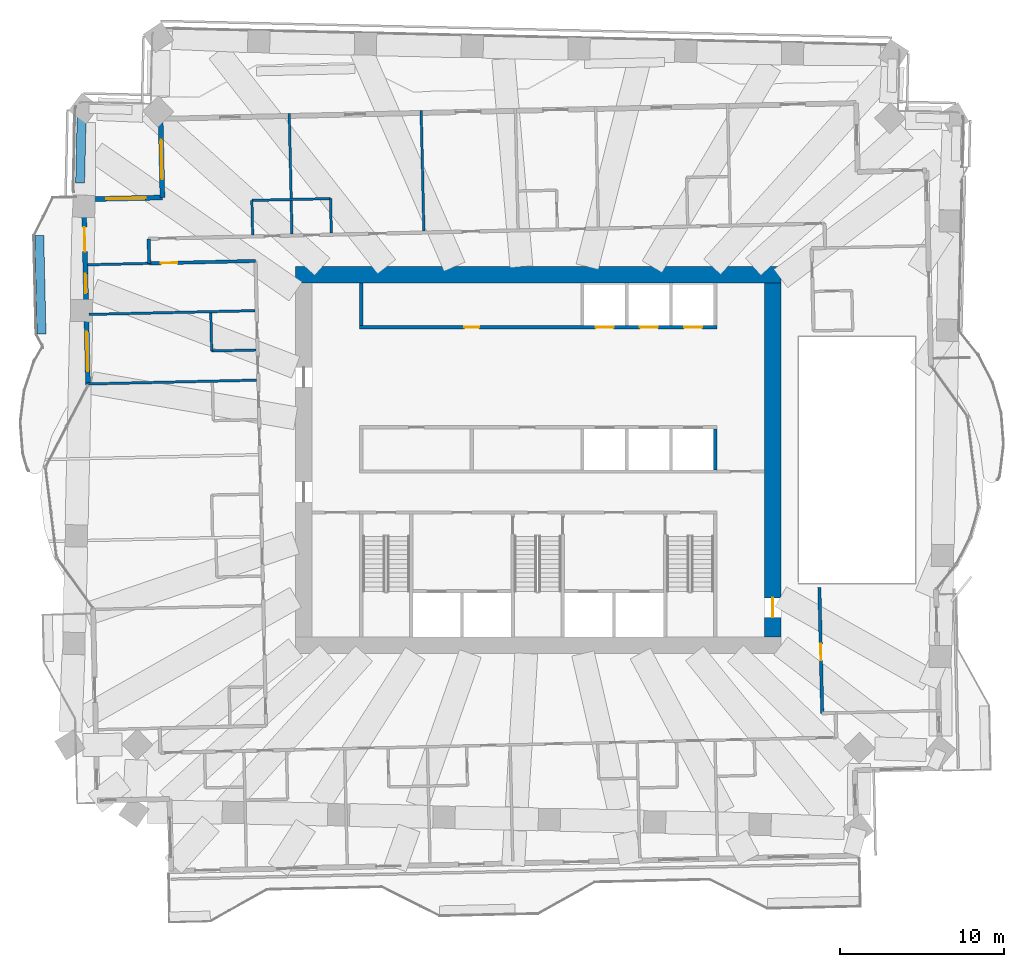
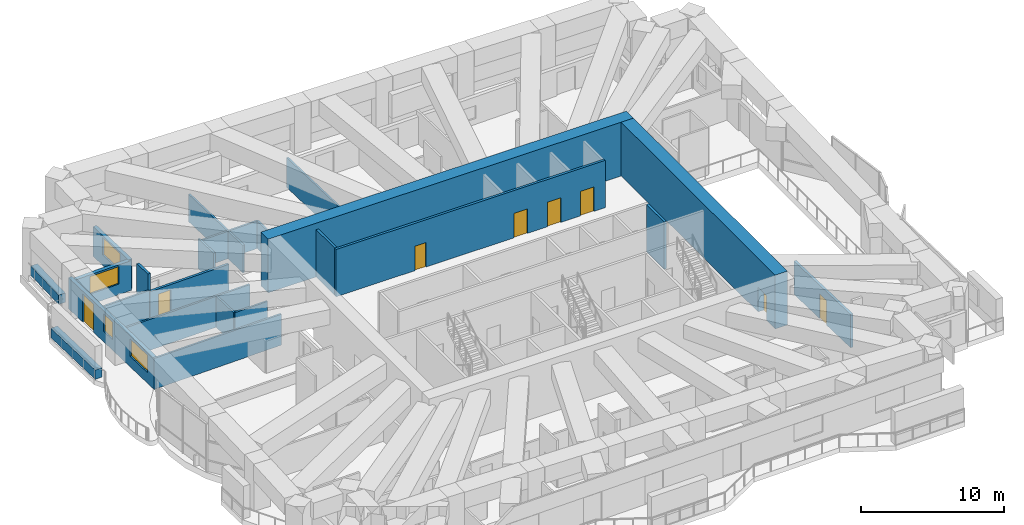
# One storey, part 13 of 21: 23 walls, 8 doors, 4 windows, 12 openings.
"""IFC4 building model written with IfcOpenShell, lengths in metres."""

from ifc_helpers import new_model, si_unit, direction, frame, frame_2d, origin, place, context, subcontext, project, spatial, rectangle, extrude, material, layer, layer_set, type_object, element, fill, save


model = new_model("IFC4")

# Units and contexts
model_context = context("Model", 3, precision=1e-05, world=origin(), true_north=direction((0.0, 1.0)))
body_context = subcontext(model_context, "Body", "Model", "MODEL_VIEW")
ifc_project = project(units=[si_unit("LENGTHUNIT", "METRE"), si_unit("AREAUNIT", "SQUARE_METRE"), si_unit("VOLUMEUNIT", "CUBIC_METRE"), si_unit("PLANEANGLEUNIT", "RADIAN"), si_unit("MASSUNIT", "GRAM", prefix="KILO")], contexts=[model_context])

# Site, building, storey
site_placement = place(None, origin())
site = spatial("IfcSite", under=ifc_project, at=site_placement, CompositionType="ELEMENT")
building_placement = place(site_placement, origin())
building = spatial("IfcBuilding", under=site, at=building_placement, Name="Mangrove Gate Tower", CompositionType="ELEMENT")
storey_placement = place(building_placement, frame((0.0, 0.0, 125.5)))
storey = spatial("IfcBuildingStorey", under=building, at=storey_placement, Name="L31", CompositionType="ELEMENT", Elevation=125.5)

# Wall
ifc_material_1 = material(Name="Concrete C32/40", Category="concrete")
ifc_layer_1 = layer(ifc_material_1, 0.199951171875)
ifc_layer_set_1 = layer_set([ifc_layer_1], Name="Core room wall 200 C32/40")
wall_type_1 = type_object("IfcWallType", Name="Core room wall 200 C32/40", PredefinedType="STANDARD", material=ifc_layer_set_1)
wall_1_placement = place(storey_placement, frame((-10.800048828125, 8.199951171875, 0.0), z_axis=(0.0, 0.0, 1.0), x_axis=(0.0, 1.0, 0.0)))
element("IfcWall", 1, at=wall_1_placement, inside=storey, type_object=wall_type_1, Name="WALL-L31-CORE-25", PredefinedType="STANDARD", context=body_context, shape_type="SweptSolid", body=[
    extrude(rectangle(XDim=2.60009765625, YDim=0.199951171875, at=frame_2d((1.300048828125, 0.0))), origin(), (0.0, 0.0, 1.0), 4.050048828125),
])

# Wall, openings, doors
ifc_material_2 = material(Name="Concrete C70/85", Category="concrete")
ifc_layer_2 = layer(ifc_material_2, 0.199951171875)
ifc_layer_set_2 = layer_set([ifc_layer_2], Name="Core shaft wall 200 C70/85")
wall_type_2 = type_object("IfcWallType", Name="Core shaft wall 200 C70/85", PredefinedType="SHEAR", material=ifc_layer_set_2)
wall_2_placement = place(storey_placement, frame((-10.89990234375, 8.10009765625, 0.0), z_axis=(0.0, 0.0, 1.0), x_axis=(1.0, 0.0, 0.0)))
wall_2 = element("IfcWall", 2, at=wall_2_placement, inside=storey, type_object=wall_type_2, Name="WALL-L31-CORE-8", PredefinedType="SHEAR", context=body_context, shape_type="SweptSolid", body=[
    extrude(rectangle(XDim=21.7998046875, YDim=0.199951171875, at=frame_2d((10.89990234375, 0.0))), origin(), (0.0, 0.0, 1.0), 4.050048828125),
])
opening_1_placement = place(wall_2_placement, frame((14.39990234375, 0.0, 0.0)))
opening_1 = element("IfcOpeningElement", 3, at=opening_1_placement, cuts=wall_2, Name="Opening LD", PredefinedType="OPENING", context=body_context, shape_type="SweptSolid", body=[
    extrude(rectangle(XDim=1.10009765625, YDim=2.10009765625, at=frame_2d((0.550048828125, 1.050048828125))), frame((0.0, 0.10986328125, 0.0), z_axis=(0.0, -1.0, 0.0), x_axis=(1.0, 0.0, 0.0)), (0.0, 0.0, 1.0), 0.219970703125),
])
opening_2_placement = place(wall_2_placement, frame((17.10009765625, 0.0, 0.0)))
opening_2 = element("IfcOpeningElement", 4, at=opening_2_placement, cuts=wall_2, Name="Opening LD", PredefinedType="OPENING", context=body_context, shape_type="SweptSolid", body=[
    extrude(rectangle(XDim=1.10009765625, YDim=2.10009765625, at=frame_2d((0.550048828125, 1.050048828125))), frame((0.0, 0.10986328125, 0.0), z_axis=(0.0, -1.0, 0.0), x_axis=(1.0, 0.0, 0.0)), (0.0, 0.0, 1.0), 0.219970703125),
])
opening_3_placement = place(wall_2_placement, frame((19.800048828125, 0.0, 0.0)))
opening_3 = element("IfcOpeningElement", 5, at=opening_3_placement, cuts=wall_2, Name="Opening LD", PredefinedType="OPENING", context=body_context, shape_type="SweptSolid", body=[
    extrude(rectangle(XDim=1.10009765625, YDim=2.10009765625, at=frame_2d((0.550048828125, 1.050048828125))), frame((0.0, 0.10986328125, 0.0), z_axis=(0.0, -1.0, 0.0), x_axis=(1.0, 0.0, 0.0)), (0.0, 0.0, 1.0), 0.219970703125),
])
opening_4_placement = place(wall_2_placement, frame((6.39990234375, 0.0, 0.0)))
opening_4 = element("IfcOpeningElement", 6, at=opening_4_placement, cuts=wall_2, Name="Opening RD", PredefinedType="OPENING", context=body_context, shape_type="SweptSolid", body=[
    extrude(rectangle(XDim=0.89990234375, YDim=2.10009765625, at=frame_2d((0.449951171875, 1.050048828125))), frame((0.0, 0.10986328125, 0.0), z_axis=(0.0, -1.0, 0.0), x_axis=(1.0, 0.0, 0.0)), (0.0, 0.0, 1.0), 0.219970703125),
])
ifc_material_3 = material(Name="Stainless steel 316", Category="steel")
door_type_1 = type_object("IfcDoorType", Name="Lift landing door 1100x2100", OperationType="SLIDING_TO_LEFT", PredefinedType="DOOR", material=ifc_material_3)
door_1_placement = place(opening_1_placement, origin())
door_1 = element("IfcDoor", 7, at=door_1_placement, inside=storey, type_object=door_type_1, Name="Landing door LD M04", OperationType="SLIDING_TO_LEFT", OverallHeight=2.10009765625, OverallWidth=1.10009765625, PredefinedType="DOOR", context=body_context, shape_type="SweptSolid", body=[
    extrude(rectangle(XDim=1.10009765625, YDim=2.10009765625, at=frame_2d((0.550048828125, 1.050048828125))), frame((0.0, 0.02490234375, 0.0), z_axis=(0.0, -1.0, 0.0), x_axis=(1.0, 0.0, 0.0)), (0.0, 0.0, 1.0), 0.050048828125),
])
fill(opening_1, door_1)
door_2_placement = place(opening_2_placement, origin())
door_2 = element("IfcDoor", 8, at=door_2_placement, inside=storey, type_object=door_type_1, Name="Landing door LD M05", OperationType="SLIDING_TO_LEFT", OverallHeight=2.10009765625, OverallWidth=1.10009765625, PredefinedType="DOOR", context=body_context, shape_type="SweptSolid", body=[
    extrude(rectangle(XDim=1.10009765625, YDim=2.10009765625, at=frame_2d((0.550048828125, 1.050048828125))), frame((0.0, 0.02490234375, 0.0), z_axis=(0.0, -1.0, 0.0), x_axis=(1.0, 0.0, 0.0)), (0.0, 0.0, 1.0), 0.050048828125),
])
fill(opening_2, door_2)
door_3_placement = place(opening_3_placement, origin())
door_3 = element("IfcDoor", 9, at=door_3_placement, inside=storey, type_object=door_type_1, Name="Landing door LD M06", OperationType="SLIDING_TO_LEFT", OverallHeight=2.10009765625, OverallWidth=1.10009765625, PredefinedType="DOOR", context=body_context, shape_type="SweptSolid", body=[
    extrude(rectangle(XDim=1.10009765625, YDim=2.10009765625, at=frame_2d((0.550048828125, 1.050048828125))), frame((0.0, 0.02490234375, 0.0), z_axis=(0.0, -1.0, 0.0), x_axis=(1.0, 0.0, 0.0)), (0.0, 0.0, 1.0), 0.050048828125),
])
fill(opening_3, door_3)
ifc_material_4 = material(Name="Fire-rated steel door set", Category="steel")
door_type_2 = type_object("IfcDoorType", Name="Riser door FD30S 900x2100", OperationType="SINGLE_SWING_LEFT", PredefinedType="DOOR", material=ifc_material_4)
door_4_placement = place(opening_4_placement, origin())
door_4 = element("IfcDoor", 10, at=door_4_placement, inside=storey, type_object=door_type_2, Name="Riser door Comms room", OperationType="SINGLE_SWING_LEFT", OverallHeight=2.10009765625, OverallWidth=0.89990234375, PredefinedType="DOOR", context=body_context, shape_type="SweptSolid", body=[
    extrude(rectangle(XDim=0.89990234375, YDim=2.10009765625, at=frame_2d((0.449951171875, 1.050048828125))), frame((0.0, 0.02490234375, 0.0), z_axis=(0.0, -1.0, 0.0), x_axis=(1.0, 0.0, 0.0)), (0.0, 0.0, 1.0), 0.050048828125),
])
fill(opening_4, door_4)

# Walls
wall_3_placement = place(storey_placement, frame((10.800048828125, -0.60009765625, 0.0), z_axis=(0.0, 0.0, 1.0), x_axis=(0.0, 1.0, 0.0)))
element("IfcWall", 11, at=wall_3_placement, inside=storey, type_object=wall_type_2, Name="WALL-L31-CORE-24", PredefinedType="SHEAR", context=body_context, shape_type="SweptSolid", body=[
    extrude(rectangle(XDim=2.5, YDim=0.199951171875, at=frame_2d((1.25, 0.0))), origin(), (0.0, 0.0, 1.0), 4.050048828125),
])
ifc_material_5 = material(Name="Concrete C70/85", Category="concrete")
ifc_layer_3 = layer(ifc_material_5, 1.0)
ifc_layer_set_3 = layer_set([ifc_layer_3], Name="Core wall 1000 C70/85")
wall_type_3 = type_object("IfcWallType", Name="Core wall 1000 C70/85", PredefinedType="SHEAR", material=ifc_layer_set_3)
wall_4_placement = place(storey_placement, frame((-14.800048828125, 11.300048828125, 0.0), z_axis=(0.0, 0.0, 1.0), x_axis=(1.0, 0.0, 0.0)))
element("IfcWall", 12, at=wall_4_placement, inside=storey, type_object=wall_type_3, Name="WALL-L31-CORE-2", PredefinedType="SHEAR", context=body_context, shape_type="SweptSolid", body=[
    extrude(rectangle(XDim=29.60009765625, YDim=1.0, at=frame_2d((14.800048828125, 0.0))), origin(), (0.0, 0.0, 1.0), 4.60009765625),
])

# Wall, opening, door
wall_5_placement = place(storey_placement, frame((14.300048828125, -10.800048828125, 0.0), z_axis=(0.0, 0.0, 1.0), x_axis=(0.0, 1.0, 0.0)))
wall_5 = element("IfcWall", 13, at=wall_5_placement, inside=storey, type_object=wall_type_3, Name="WALL-L31-CORE-4", PredefinedType="SHEAR", context=body_context, shape_type="SweptSolid", body=[
    extrude(rectangle(XDim=21.60009765625, YDim=1.0, at=frame_2d((10.800048828125, 0.0))), origin(), (0.0, 0.0, 1.0), 4.60009765625),
])
opening_5_placement = place(wall_5_placement, frame((1.199951171875, 0.0, 0.0)))
opening_5 = element("IfcOpeningElement", 14, at=opening_5_placement, cuts=wall_5, Name="Opening CD", PredefinedType="OPENING", context=body_context, shape_type="SweptSolid", body=[
    extrude(rectangle(XDim=1.199951171875, YDim=2.10009765625, at=frame_2d((0.60009765625, 1.050048828125))), frame((0.0, 0.510009765625, 0.0), z_axis=(0.0, -1.0, 0.0), x_axis=(1.0, 0.0, 0.0)), (0.0, 0.0, 1.0), 1.02001953125),
])
ifc_material_6 = material(Name="Fire-rated steel door set", Category="steel")
door_type_3 = type_object("IfcDoorType", Name="Core ring door FD60 1200x2100", OperationType="DOUBLE_DOOR_SINGLE_SWING", PredefinedType="DOOR", material=ifc_material_6)
door_5_placement = place(opening_5_placement, origin())
door_5 = element("IfcDoor", 15, at=door_5_placement, inside=storey, type_object=door_type_3, Name="Core ring door E1", OperationType="DOUBLE_DOOR_SINGLE_SWING", OverallHeight=2.10009765625, OverallWidth=1.199951171875, PredefinedType="DOOR", context=body_context, shape_type="SweptSolid", body=[
    extrude(rectangle(XDim=1.199951171875, YDim=2.10009765625, at=frame_2d((0.60009765625, 1.050048828125))), frame((0.0, 0.02490234375, 0.0), z_axis=(0.0, -1.0, 0.0), x_axis=(1.0, 0.0, 0.0)), (0.0, 0.0, 1.0), 0.050048828125),
])
fill(opening_5, door_5)

ifc_material_7 = material(Name="Gypsum board on steel stud, EI 60", Category="steel")
ifc_layer_4 = layer(ifc_material_7, 0.199951171875)
ifc_layer_set_4 = layer_set([ifc_layer_4], Name="Corridor wall EI 60")
wall_type_4 = type_object("IfcWallType", Name="Corridor wall EI 60", PredefinedType="PARTITIONING", material=ifc_layer_set_4)
wall_6_placement = place(storey_placement, frame((17.327880859375, -15.447998046875, 0.0), z_axis=(0.0, 0.0, 1.0), x_axis=(-0.022680883318, 0.999742755679, 0.0)))
wall_6 = element("IfcWall", 16, at=wall_6_placement, inside=storey, type_object=wall_type_4, Name="WALL-L31-027", PredefinedType="PARTITIONING", context=body_context, shape_type="SweptSolid", body=[
    extrude(rectangle(XDim=7.6640625, YDim=0.199951171875, at=frame_2d((3.83203125, 0.0))), origin(), (0.0, 0.0, 1.0), 2.85009765625),
])
opening_6_placement = place(wall_6_placement, frame((3.22998046875, 0.0, 0.0)))
opening_6 = element("IfcOpeningElement", 17, at=opening_6_placement, cuts=wall_6, Name="Opening AD", PredefinedType="OPENING", context=body_context, shape_type="SweptSolid", body=[
    extrude(rectangle(XDim=1.0, YDim=2.10009765625, at=frame_2d((0.5, 1.050048828125))), frame((0.0, 0.10986328125, 0.0), z_axis=(0.0, -1.0, 0.0), x_axis=(1.0, 0.0, 0.0)), (0.0, 0.0, 1.0), 0.219970703125),
])
ifc_material_8 = material(Name="Timber door leaf", Category="wood")
door_type_4 = type_object("IfcDoorType", Name="Amenity door 1000", OperationType="SINGLE_SWING_LEFT", PredefinedType="DOOR", material=ifc_material_8)
door_6_placement = place(opening_6_placement, origin())
door_6 = element("IfcDoor", 18, at=door_6_placement, inside=storey, type_object=door_type_4, Name="DOOR-L31-LNG-c3b", OperationType="SINGLE_SWING_RIGHT", OverallHeight=2.10009765625, OverallWidth=1.0, PredefinedType="DOOR", context=body_context, shape_type="SweptSolid", body=[
    extrude(rectangle(XDim=1.0, YDim=2.10009765625, at=frame_2d((0.5, 1.050048828125))), frame((0.0, 0.02490234375, 0.0), z_axis=(0.0, -1.0, 0.0), x_axis=(1.0, 0.0, 0.0)), (0.0, 0.0, 1.0), 0.050048828125),
])
fill(opening_6, door_6)

# Wall
wall_7_placement = place(storey_placement, frame((-23.735107421875, 12.0009765625, 0.0), z_axis=(0.0, 0.0, 1.0), x_axis=(-0.022617910375, 0.999744182344, 0.0)))
element("IfcWall", 19, at=wall_7_placement, inside=storey, type_object=wall_type_4, Name="WALL-L31-051", PredefinedType="PARTITIONING", context=body_context, shape_type="SweptSolid", body=[
    extrude(rectangle(XDim=1.50048828125, YDim=0.199951171875, at=frame_2d((0.750244140625, 0.0))), origin(), (0.0, 0.0, 1.0), 4.050048828125),
])

# Wall, opening, door
wall_8_placement = place(storey_placement, frame((-23.72998046875, 12.0009765625, 0.0), z_axis=(0.0, 0.0, 1.0), x_axis=(0.999739614647, 0.022818915498, 0.0)))
wall_8 = element("IfcWall", 20, at=wall_8_placement, inside=storey, type_object=wall_type_4, Name="WALL-L31-052", PredefinedType="PARTITIONING", context=body_context, shape_type="SweptSolid", body=[
    extrude(rectangle(XDim=6.483642578125, YDim=0.199951171875, at=frame_2d((3.24169921875, 0.0))), origin(), (0.0, 0.0, 1.0), 2.550048828125),
])
opening_7_placement = place(wall_8_placement, frame((0.714111328125, 0.0, 0.0)))
opening_7 = element("IfcOpeningElement", 21, at=opening_7_placement, cuts=wall_8, Name="Opening AD", PredefinedType="OPENING", context=body_context, shape_type="SweptSolid", body=[
    extrude(rectangle(XDim=1.0, YDim=2.10009765625, at=frame_2d((0.5, 1.050048828125))), frame((0.0, 0.10986328125, 0.0), z_axis=(0.0, -1.0, 0.0), x_axis=(1.0, 0.0, 0.0)), (0.0, 0.0, 1.0), 0.219970703125),
])
door_7_placement = place(opening_7_placement, origin())
door_7 = element("IfcDoor", 22, at=door_7_placement, inside=storey, type_object=door_type_4, Name="DOOR-L31-STU-c5a", OperationType="SINGLE_SWING_RIGHT", OverallHeight=2.10009765625, OverallWidth=1.0, PredefinedType="DOOR", context=body_context, shape_type="SweptSolid", body=[
    extrude(rectangle(XDim=1.0, YDim=2.10009765625, at=frame_2d((0.5, 1.050048828125))), frame((0.0, 0.02490234375, 0.0), z_axis=(0.0, -1.0, 0.0), x_axis=(1.0, 0.0, 0.0)), (0.0, 0.0, 1.0), 0.050048828125),
])
fill(opening_7, door_7)

# Wall, opening, window
ifc_material_9 = material(Name="Limestone", Category="masonry")
ifc_layer_5 = layer(ifc_material_9, 0.0400390625, Name="Limestone cladding")
ifc_material_10 = material(Name="Ventilated air gap")
ifc_layer_6 = layer(ifc_material_10, 0.0400390625, Name="Ventilated cavity")
ifc_material_11 = material(Name="Mineral wool insulation")
ifc_layer_7 = layer(ifc_material_11, 0.06005859375, Name="Insulation")
ifc_material_12 = material(Name="Breather membrane")
ifc_layer_8 = layer(ifc_material_12, 0.001953125, Name="Breather membrane")
ifc_material_13 = material(Name="Concrete C20/25 blockwork", Category="masonry")
ifc_layer_9 = layer(ifc_material_13, 0.14990234375, Name="Blockwork backing wall")
ifc_material_14 = material(Name="Gypsum plaster")
ifc_layer_10 = layer(ifc_material_14, 0.008056640625, Name="Internal plaster")
ifc_layer_set_5 = layer_set([ifc_layer_5, ifc_layer_6, ifc_layer_7, ifc_layer_8, ifc_layer_9, ifc_layer_10], Name="External wall 300 limestone cladding")
wall_type_5 = type_object("IfcWallType", Name="External wall 300 limestone cladding", PredefinedType="SOLIDWALL", material=ifc_layer_set_5)
wall_9_placement = place(storey_placement, frame((-23.037109375, 20.819091796875, 0.0), z_axis=(0.0, 0.0, 1.0), x_axis=(0.022738738327, -0.999741441463, 0.0)))
wall_9 = element("IfcWall", 23, at=wall_9_placement, inside=storey, type_object=wall_type_5, Name="WALL-L31-W6", PredefinedType="SOLIDWALL", context=body_context, shape_type="SweptSolid", body=[
    extrude(rectangle(XDim=4.79931640625, YDim=0.300048828125, at=frame_2d((2.399658203125, 0.0))), origin(), (0.0, 0.0, 1.0), 2.550048828125),
])
opening_8_placement = place(wall_9_placement, frame((1.27587890625, 0.0, 0.89990234375)))
opening_8 = element("IfcOpeningElement", 24, at=opening_8_placement, cuts=wall_9, Name="Opening W2", PredefinedType="OPENING", context=body_context, shape_type="SweptSolid", body=[
    extrude(rectangle(XDim=2.39990234375, YDim=1.5, at=frame_2d((1.199951171875, 0.75))), frame((0.0, 0.159912109375, 0.0), z_axis=(0.0, -1.0, 0.0), x_axis=(1.0, 0.0, 0.0)), (0.0, 0.0, 1.0), 0.320068359375),
])
ifc_material_15 = material(Name="Aluminium frame with double-glazed low-e glass", Category="aluminium")
window_type_1 = type_object("IfcWindowType", Name="Corner room window 2400x1500", PartitioningType="DOUBLE_PANEL_VERTICAL", PredefinedType="WINDOW", material=ifc_material_15)
window_1_placement = place(opening_8_placement, origin())
window_1 = element("IfcWindow", 25, at=window_1_placement, inside=storey, type_object=window_type_1, Name="WIN-L31-W6-1", OverallHeight=1.5, OverallWidth=2.39990234375, PartitioningType="DOUBLE_PANEL_VERTICAL", PredefinedType="WINDOW", context=body_context, shape_type="SweptSolid", body=[
    extrude(rectangle(XDim=2.39990234375, YDim=1.5, at=frame_2d((1.199951171875, 0.75))), frame((0.0, 0.030029296875, 0.0), z_axis=(0.0, -1.0, 0.0), x_axis=(1.0, 0.0, 0.0)), (0.0, 0.0, 1.0), 0.06005859375),
])
fill(opening_8, window_1)

wall_10_placement = place(storey_placement, frame((-22.927978515625, 16.02099609375, 0.0), z_axis=(0.0, 0.0, 1.0), x_axis=(-0.999742701292, -0.022683280499, 0.0)))
wall_10 = element("IfcWall", 26, at=wall_10_placement, inside=storey, type_object=wall_type_5, Name="WALL-L31-N7", PredefinedType="SOLIDWALL", context=body_context, shape_type="SweptSolid", body=[
    extrude(rectangle(XDim=4.80029296875, YDim=0.300048828125, at=frame_2d((2.400146484375, 0.0))), origin(), (0.0, 0.0, 1.0), 2.550048828125),
])
opening_9_placement = place(wall_10_placement, frame((1.02490234375, 0.0, 0.89990234375)))
opening_9 = element("IfcOpeningElement", 27, at=opening_9_placement, cuts=wall_10, Name="Opening W2", PredefinedType="OPENING", context=body_context, shape_type="SweptSolid", body=[
    extrude(rectangle(XDim=2.39990234375, YDim=1.5, at=frame_2d((1.199951171875, 0.75))), frame((0.0, 0.159912109375, 0.0), z_axis=(0.0, -1.0, 0.0), x_axis=(1.0, 0.0, 0.0)), (0.0, 0.0, 1.0), 0.320068359375),
])
window_2_placement = place(opening_9_placement, origin())
window_2 = element("IfcWindow", 28, at=window_2_placement, inside=storey, type_object=window_type_1, Name="WIN-L31-N7-1", OverallHeight=1.5, OverallWidth=2.39990234375, PartitioningType="DOUBLE_PANEL_VERTICAL", PredefinedType="WINDOW", context=body_context, shape_type="SweptSolid", body=[
    extrude(rectangle(XDim=2.39990234375, YDim=1.5, at=frame_2d((1.199951171875, 0.75))), frame((0.0, 0.030029296875, 0.0), z_axis=(0.0, -1.0, 0.0), x_axis=(1.0, 0.0, 0.0)), (0.0, 0.0, 1.0), 0.06005859375),
])
fill(opening_9, window_2)

# Wall, openings, door, windows
wall_11_placement = place(storey_placement, frame((-27.73291015625, 16.154052734375, 0.0), z_axis=(0.0, 0.0, 1.0), x_axis=(0.022721884592, -0.999741824653, 0.0)))
wall_11 = element("IfcWall", 29, at=wall_11_placement, inside=storey, type_object=wall_type_5, Name="WALL-L31-W8s1", PredefinedType="SOLIDWALL", context=body_context, shape_type="SweptSolid", body=[
    extrude(rectangle(XDim=11.572021484375, YDim=0.300048828125, at=frame_2d((5.7861328125, 0.0))), origin(), (0.0, 0.0, 1.0), 2.64990234375),
])
opening_10_placement = place(wall_11_placement, frame((1.93408203125, 0.0, 0.0)))
opening_10 = element("IfcOpeningElement", 30, at=opening_10_placement, cuts=wall_11, Name="Opening BD1", PredefinedType="OPENING", context=body_context, shape_type="SweptSolid", body=[
    extrude(rectangle(XDim=1.5, YDim=2.39990234375, at=frame_2d((0.75, 1.199951171875))), frame((0.0, 0.159912109375, 0.0), z_axis=(0.0, -1.0, 0.0), x_axis=(1.0, 0.0, 0.0)), (0.0, 0.0, 1.0), 0.320068359375),
])
opening_11_placement = place(wall_11_placement, frame((4.781982421875, 0.0, 0.89990234375)))
opening_11 = element("IfcOpeningElement", 31, at=opening_11_placement, cuts=wall_11, Name="Opening W1", PredefinedType="OPENING", context=body_context, shape_type="SweptSolid", body=[
    extrude(rectangle(XDim=1.199951171875, YDim=1.5, at=frame_2d((0.60009765625, 0.75))), frame((0.0, 0.159912109375, 0.0), z_axis=(0.0, -1.0, 0.0), x_axis=(1.0, 0.0, 0.0)), (0.0, 0.0, 1.0), 0.320068359375),
])
opening_12_placement = place(wall_11_placement, frame((8.323974609375, 0.0, 0.89990234375)))
opening_12 = element("IfcOpeningElement", 32, at=opening_12_placement, cuts=wall_11, Name="Opening W2", PredefinedType="OPENING", context=body_context, shape_type="SweptSolid", body=[
    extrude(rectangle(XDim=2.39990234375, YDim=1.5, at=frame_2d((1.199951171875, 0.75))), frame((0.0, 0.159912109375, 0.0), z_axis=(0.0, -1.0, 0.0), x_axis=(1.0, 0.0, 0.0)), (0.0, 0.0, 1.0), 0.320068359375),
])
ifc_material_16 = material(Name="Aluminium frame with laminated clear glass", Category="aluminium")
door_type_5 = type_object("IfcDoorType", Name="Balcony sliding door 1500x2400", OperationType="SLIDING_TO_LEFT", PredefinedType="DOOR", material=ifc_material_16)
door_8_placement = place(opening_10_placement, origin())
door_8 = element("IfcDoor", 33, at=door_8_placement, inside=storey, type_object=door_type_5, Name="DOOR-L31-W8-1", OperationType="SLIDING_TO_LEFT", OverallHeight=2.39990234375, OverallWidth=1.5, PredefinedType="DOOR", context=body_context, shape_type="SweptSolid", body=[
    extrude(rectangle(XDim=1.5, YDim=2.39990234375, at=frame_2d((0.75, 1.199951171875))), frame((0.0, 0.02490234375, 0.0), z_axis=(0.0, -1.0, 0.0), x_axis=(1.0, 0.0, 0.0)), (0.0, 0.0, 1.0), 0.050048828125),
])
fill(opening_10, door_8)
window_3_placement = place(opening_12_placement, origin())
window_3 = element("IfcWindow", 34, at=window_3_placement, inside=storey, type_object=window_type_1, Name="WIN-L31-W8-3", OverallHeight=1.5, OverallWidth=2.39990234375, PartitioningType="DOUBLE_PANEL_VERTICAL", PredefinedType="WINDOW", context=body_context, shape_type="SweptSolid", body=[
    extrude(rectangle(XDim=2.39990234375, YDim=1.5, at=frame_2d((1.199951171875, 0.75))), frame((0.0, 0.030029296875, 0.0), z_axis=(0.0, -1.0, 0.0), x_axis=(1.0, 0.0, 0.0)), (0.0, 0.0, 1.0), 0.06005859375),
])
fill(opening_12, window_3)
ifc_material_17 = material(Name="Aluminium frame with double-glazed low-e glass", Category="aluminium")
window_type_2 = type_object("IfcWindowType", Name="Side lite 1200x1500", PartitioningType="SINGLE_PANEL", PredefinedType="WINDOW", material=ifc_material_17)
window_4_placement = place(opening_11_placement, origin())
window_4 = element("IfcWindow", 35, at=window_4_placement, inside=storey, type_object=window_type_2, Name="WIN-L31-W8-2", OverallHeight=1.5, OverallWidth=1.199951171875, PartitioningType="SINGLE_PANEL", PredefinedType="WINDOW", context=body_context, shape_type="SweptSolid", body=[
    extrude(rectangle(XDim=1.199951171875, YDim=1.5, at=frame_2d((0.60009765625, 0.75))), frame((0.0, 0.030029296875, 0.0), z_axis=(0.0, -1.0, 0.0), x_axis=(1.0, 0.0, 0.0)), (0.0, 0.0, 1.0), 0.06005859375),
])
fill(opening_11, window_4)

# Walls
ifc_material_18 = material(Name="Gypsum board on steel stud, EI 60", Category="steel")
ifc_layer_11 = layer(ifc_material_18, 0.14990234375)
ifc_layer_set_6 = layer_set([ifc_layer_11], Name="Party wall 150 EI 60")
wall_type_6 = type_object("IfcWallType", Name="Party wall 150 EI 60", PredefinedType="PARTITIONING", material=ifc_layer_set_6)
wall_12_placement = place(storey_placement, frame((-27.62109375, 4.64111328125, 0.0), z_axis=(0.0, 0.0, 1.0), x_axis=(0.999742728106, 0.022682098664, 0.0)))
element("IfcWall", 36, at=wall_12_placement, inside=storey, type_object=wall_type_6, Name="WALL-L31-042", PredefinedType="PARTITIONING", context=body_context, shape_type="SweptSolid", body=[
    extrude(rectangle(XDim=10.440673828125, YDim=0.14990234375, at=frame_2d((5.22021484375, 0.0))), origin(), (0.0, 0.0, 1.0), 2.64990234375),
])
wall_13_placement = place(storey_placement, frame((-19.924072265625, 6.656005859375, 0.0), z_axis=(0.0, 0.0, 1.0), x_axis=(0.999736155505, 0.022969966847, 0.0)))
element("IfcWall", 37, at=wall_13_placement, inside=storey, type_object=wall_type_6, Name="WALL-L31-043", PredefinedType="PARTITIONING", context=body_context, shape_type="SweptSolid", body=[
    extrude(rectangle(XDim=2.69970703125, YDim=0.14990234375, at=frame_2d((1.349853515625, 0.0))), origin(), (0.0, 0.0, 1.0), 2.64990234375),
])
wall_14_placement = place(storey_placement, frame((-19.923095703125, 6.660888671875, 0.0), z_axis=(0.0, 0.0, 1.0), x_axis=(-0.022778632478, 0.99974053329, 0.0)))
element("IfcWall", 38, at=wall_14_placement, inside=storey, type_object=wall_type_6, Name="WALL-L31-044", PredefinedType="PARTITIONING", context=body_context, shape_type="SweptSolid", body=[
    extrude(rectangle(XDim=2.32568359375, YDim=0.14990234375, at=frame_2d((1.162841796875, 0.0))), origin(), (0.0, 0.0, 1.0), 2.64990234375),
])
wall_15_placement = place(storey_placement, frame((-27.41796875, 8.886962890625, 0.0), z_axis=(0.0, 0.0, 1.0), x_axis=(0.999742841246, 0.022677111331, 0.0)))
element("IfcWall", 39, at=wall_15_placement, inside=storey, type_object=wall_type_6, Name="WALL-L31-048", PredefinedType="PARTITIONING", context=body_context, shape_type="SweptSolid", body=[
    extrude(rectangle(XDim=10.1416015625, YDim=0.14990234375, at=frame_2d((5.07080078125, 0.0))), origin(), (0.0, 0.0, 1.0), 2.64990234375),
])
wall_16_placement = place(storey_placement, frame((-27.487060546875, 11.916015625, 0.0), z_axis=(0.0, 0.0, 1.0), x_axis=(0.999739047234, 0.022843761417, 0.0)))
element("IfcWall", 40, at=wall_16_placement, inside=storey, type_object=wall_type_6, Name="WALL-L31-050", PredefinedType="PARTITIONING", context=body_context, shape_type="SweptSolid", body=[
    extrude(rectangle(XDim=3.761962890625, YDim=0.14990234375, at=frame_2d((1.880859375, 0.0))), origin(), (0.0, 0.0, 1.0), 2.64990234375),
])
wall_17_placement = place(storey_placement, frame((-17.423095703125, 13.7451171875, 0.0), z_axis=(0.0, 0.0, 1.0), x_axis=(-0.022792727877, 0.999740212033, 0.0)))
element("IfcWall", 41, at=wall_17_placement, inside=storey, type_object=wall_type_6, Name="WALL-L31-057", PredefinedType="PARTITIONING", context=body_context, shape_type="SweptSolid", body=[
    extrude(rectangle(XDim=2.099365234375, YDim=0.14990234375, at=frame_2d((1.0498046875, 0.0))), origin(), (0.0, 0.0, 1.0), 2.550048828125),
])
wall_18_placement = place(storey_placement, frame((-15.02392578125, 13.799072265625, 0.0), z_axis=(0.0, 0.0, 1.0), x_axis=(-0.022717633107, 0.999741921271, 0.0)))
element("IfcWall", 42, at=wall_18_placement, inside=storey, type_object=wall_type_6, Name="WALL-L31-058", PredefinedType="PARTITIONING", context=body_context, shape_type="SweptSolid", body=[
    extrude(rectangle(XDim=7.350830078125, YDim=0.14990234375, at=frame_2d((3.67529296875, 0.0))), origin(), (0.0, 0.0, 1.0), 2.35009765625),
])
wall_19_placement = place(storey_placement, frame((-12.625, 13.85400390625, 0.0), z_axis=(0.0, 0.0, 1.0), x_axis=(-0.022444036695, 0.999748100882, 0.0)))
element("IfcWall", 43, at=wall_19_placement, inside=storey, type_object=wall_type_6, Name="WALL-L31-059", PredefinedType="PARTITIONING", context=body_context, shape_type="SweptSolid", body=[
    extrude(rectangle(XDim=2.099365234375, YDim=0.14990234375, at=frame_2d((1.0498046875, 0.0))), origin(), (0.0, 0.0, 1.0), 2.35009765625),
])
wall_20_placement = place(storey_placement, frame((-6.97607421875, 13.98193359375, 0.0), z_axis=(0.0, 0.0, 1.0), x_axis=(-0.022719896304, 0.99974186984, 0.0)))
element("IfcWall", 44, at=wall_20_placement, inside=storey, type_object=wall_type_6, Name="WALL-L31-060", PredefinedType="PARTITIONING", context=body_context, shape_type="SweptSolid", body=[
    extrude(rectangle(XDim=7.35009765625, YDim=0.14990234375, at=frame_2d((3.675048828125, 0.0))), origin(), (0.0, 0.0, 1.0), 2.550048828125),
])
wall_21_placement = place(storey_placement, frame((-17.472900390625, 15.843994140625, 0.0), z_axis=(0.0, 0.0, 1.0), x_axis=(0.999742675121, 0.022684433919, 0.0)))
element("IfcWall", 45, at=wall_21_placement, inside=storey, type_object=wall_type_6, Name="WALL-L31-066", PredefinedType="PARTITIONING", context=body_context, shape_type="SweptSolid", body=[
    extrude(rectangle(XDim=4.800048828125, YDim=0.14990234375, at=frame_2d((2.39990234375, 0.0))), origin(), (0.0, 0.0, 1.0), 2.35009765625),
])
ifc_material_19 = material(Name="Concrete C32/40", Category="concrete")
ifc_layer_12 = layer(ifc_material_19, 0.199951171875, Name="Planter trough wall")
ifc_material_20 = material(Name="Bituminous waterproofing membrane")
ifc_layer_13 = layer(ifc_material_20, 0.0048828125, Name="Waterproofing")
ifc_material_21 = material(Name="Drainage board and gravel")
ifc_layer_14 = layer(ifc_material_21, 0.044921875, Name="Drainage layer")
ifc_material_22 = material(Name="Planting soil")
ifc_layer_15 = layer(ifc_material_22, 0.300048828125, Name="Growing medium")
ifc_layer_set_7 = layer_set([ifc_layer_12, ifc_layer_13, ifc_layer_14, ifc_layer_15], Name="Planter wall 550 C32/40")
wall_type_7 = type_object("IfcWallType", Name="Planter wall 550 C32/40", PredefinedType="USERDEFINED", material=ifc_layer_set_7)
wall_22_placement = place(storey_placement, frame((-30.306884765625, 7.700927734375, 0.0), z_axis=(0.0, 0.0, 1.0), x_axis=(-0.022706615587, 0.999742171567, 0.0)))
element("IfcWall", 46, at=wall_22_placement, inside=storey, type_object=wall_type_7, Name="PLANTER L31 W0.1", ObjectType="PLANTER", PredefinedType="USERDEFINED", context=body_context, shape_type="SweptSolid", body=[
    extrude(rectangle(XDim=5.99951171875, YDim=0.550048828125, at=frame_2d((2.999755859375, 0.0))), origin(), (0.0, 0.0, 1.0), 0.800048828125),
])
wall_23_placement = place(storey_placement, frame((-27.949951171875, 16.909912109375, 0.0), z_axis=(0.0, 0.0, 1.0), x_axis=(0.022730891996, 0.999741619894, 0.0)))
element("IfcWall", 47, at=wall_23_placement, inside=storey, type_object=wall_type_7, Name="PLANTER L31 T1.1.6", ObjectType="PLANTER", PredefinedType="USERDEFINED", context=body_context, shape_type="SweptSolid", body=[
    extrude(rectangle(XDim=4.092041015625, YDim=0.550048828125, at=frame_2d((2.0458984375, 0.0))), origin(), (0.0, 0.0, 1.0), 0.800048828125),
])

save(model, "model.ifc")
